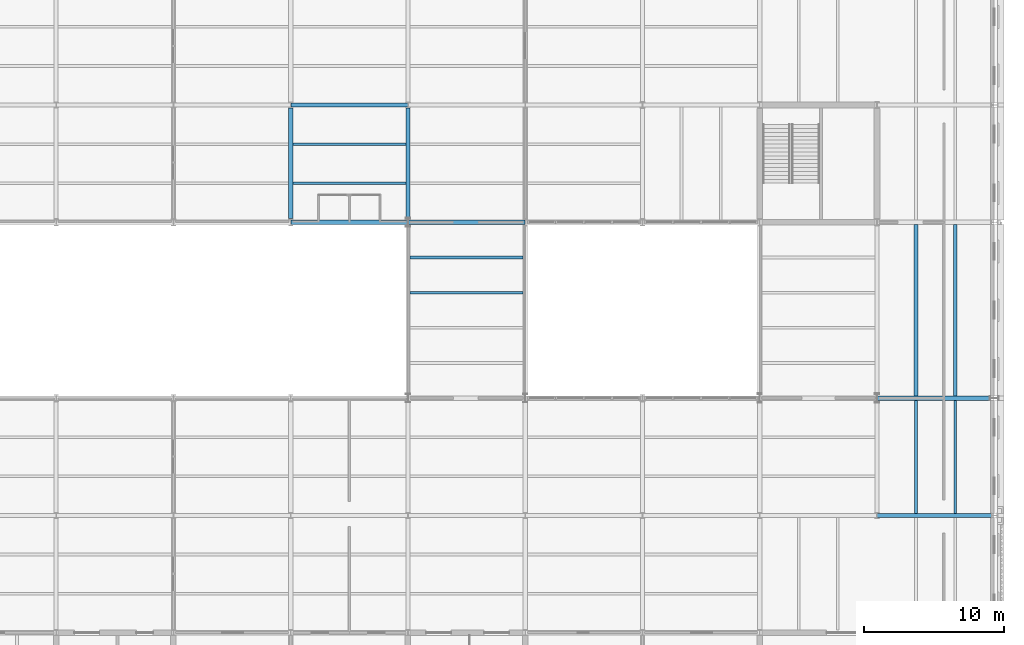
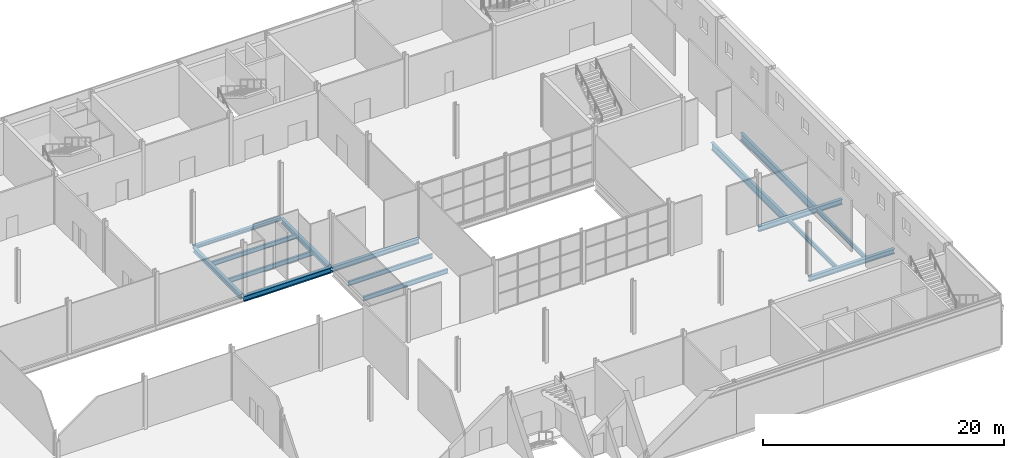
# One storey, part 21 of 57: 15 beams.
"""IFC4 building model written with IfcOpenShell, lengths in metres."""

from ifc_helpers import new_model, si_unit, direction, frame, origin, origin_2d, place, context, subcontext, project, spatial, i_section, extrude, material, material_profile, profile_set, type_object, element, save


model = new_model("IFC4")

# Units and contexts
model_context = context("Model", 3, precision=1e-05, world=origin(), true_north=direction((0.0, 1.0)))
body_context = subcontext(model_context, "Body", "Model", "MODEL_VIEW")
ifc_project = project(units=[si_unit("LENGTHUNIT", "METRE"), si_unit("AREAUNIT", "SQUARE_METRE"), si_unit("VOLUMEUNIT", "CUBIC_METRE"), si_unit("PLANEANGLEUNIT", "RADIAN"), si_unit("MASSUNIT", "GRAM", prefix="KILO")], contexts=[model_context])

# Site, building, storey
site_placement = place(None, origin())
site = spatial("IfcSite", under=ifc_project, at=site_placement, CompositionType="ELEMENT")
building_placement = place(site_placement, origin())
building = spatial("IfcBuilding", under=site, at=building_placement, Name="Galleria Vessillo Department Store", CompositionType="ELEMENT")
storey_placement = place(building_placement, frame((0.0, 0.0, 25.800048828125)))
storey = spatial("IfcBuildingStorey", under=building, at=storey_placement, Name="L05", CompositionType="ELEMENT", Elevation=25.800048828125)

# Beams
ifc_material_1 = material(Name="Steel S355 J2", Category="steel")
ifc_material_profile_1 = material_profile(ifc_material_1, i_section(OverallWidth=0.300048828125, OverallDepth=0.489990234375, WebThickness=0.011962890625, FlangeThickness=0.02294921875, FilletRadius=0.027099609375, at=origin_2d()), Name="HEA 500")
ifc_profile_set_1 = profile_set([ifc_material_profile_1], Name="Steel S355 J2")
beam_type_1 = type_object("IfcBeamType", Name="Bridge girder HEA 500", PredefinedType="BEAM", material=ifc_profile_set_1)
beam_1_placement = place(storey_placement, frame((75.610595703125, 37.800048828125, -0.39501953125), z_axis=(1.0, 0.0, 0.0), x_axis=(0.0, 1.0, 0.0)))
element("IfcBeam", 1, at=beam_1_placement, inside=storey, type_object=beam_type_1, Name="S-BM-L05-BR-x37800-75611", PredefinedType="BEAM", context=body_context, shape_type="SweptSolid", body=[
    extrude(i_section(OverallWidth=0.300048828125, OverallDepth=0.489990234375, WebThickness=0.011962890625, FlangeThickness=0.02294921875, FilletRadius=0.027099609375, at=origin_2d()), origin(), (0.0, 0.0, 1.0), 8.378662109375),
])
ifc_material_2 = material(Name="Steel S355 J2", Category="steel")
ifc_material_profile_2 = material_profile(ifc_material_2, i_section(OverallWidth=0.300048828125, OverallDepth=0.489990234375, WebThickness=0.011962890625, FlangeThickness=0.02294921875, FilletRadius=0.027099609375, at=origin_2d()), Name="HEA 500")
ifc_profile_set_2 = profile_set([ifc_material_profile_2], Name="Steel S355 J2")
beam_type_2 = type_object("IfcBeamType", Name="Floor girder HEA 500", PredefinedType="BEAM", material=ifc_profile_set_2)
beam_2_placement = place(storey_placement, frame((109.206787109375, 16.800048828125, -0.39501953125), z_axis=(1.0, 0.0, 0.0), x_axis=(0.0, 1.0, 0.0)))
element("IfcBeam", 2, at=beam_2_placement, inside=storey, type_object=beam_type_2, Name="S-BM-L05-GI-x16800-109207", PredefinedType="BEAM", context=body_context, shape_type="SweptSolid", body=[
    extrude(i_section(OverallWidth=0.300048828125, OverallDepth=0.489990234375, WebThickness=0.011962890625, FlangeThickness=0.02294921875, FilletRadius=0.027099609375, at=origin_2d()), origin(), (0.0, 0.0, 1.0), 8.193115234375),
])
beam_3_placement = place(storey_placement, frame((67.199951171875, 38.06201171875, -0.39501953125), z_axis=(0.0, 1.0, 0.0), x_axis=(-1.0, 0.0, 0.0)))
element("IfcBeam", 3, at=beam_3_placement, inside=storey, type_object=beam_type_2, Name="S-BM-L05-GI-y67200-38062", PredefinedType="BEAM", context=body_context, shape_type="SweptSolid", body=[
    extrude(i_section(OverallWidth=0.300048828125, OverallDepth=0.489990234375, WebThickness=0.011962890625, FlangeThickness=0.02294921875, FilletRadius=0.027099609375, at=origin_2d()), origin(), (0.0, 0.0, 1.0), 7.937744140625),
])
beam_4_placement = place(storey_placement, frame((75.60009765625, 38.110107421875, -0.39501953125), z_axis=(0.0, 1.0, 0.0), x_axis=(-1.0, 0.0, 0.0)))
element("IfcBeam", 4, at=beam_4_placement, inside=storey, type_object=beam_type_2, Name="S-BM-L05-GI-y75600-38110", PredefinedType="BEAM", context=body_context, shape_type="SweptSolid", body=[
    extrude(i_section(OverallWidth=0.300048828125, OverallDepth=0.489990234375, WebThickness=0.011962890625, FlangeThickness=0.02294921875, FilletRadius=0.027099609375, at=origin_2d()), origin(), (0.0, 0.0, 1.0), 7.8896484375),
])
ifc_material_3 = material(Name="Steel S355 J2", Category="steel")
ifc_material_profile_3 = material_profile(ifc_material_3, i_section(OverallWidth=0.300048828125, OverallDepth=0.5400390625, WebThickness=0.012451171875, FlangeThickness=0.02392578125, FilletRadius=0.027099609375, at=origin_2d()), Name="HEA 550")
ifc_profile_set_3 = profile_set([ifc_material_profile_3], Name="Steel S355 J2")
beam_type_3 = type_object("IfcBeamType", Name="Floor girder HEA 550", PredefinedType="BEAM", material=ifc_profile_set_3)
beam_5_placement = place(storey_placement, frame((109.210693359375, 25.199951171875, -0.419921875), z_axis=(1.0, 0.0, 0.0), x_axis=(0.0, 1.0, 0.0)))
element("IfcBeam", 5, at=beam_5_placement, inside=storey, type_object=beam_type_3, Name="S-BM-L05-GI-x25200-109211", PredefinedType="BEAM", context=body_context, shape_type="SweptSolid", body=[
    extrude(i_section(OverallWidth=0.300048828125, OverallDepth=0.5400390625, WebThickness=0.012451171875, FlangeThickness=0.02392578125, FilletRadius=0.027099609375, at=origin_2d()), origin(), (0.0, 0.0, 1.0), 8.05517578125),
])
ifc_material_4 = material(Name="Steel S355 J2", Category="steel")
ifc_material_profile_4 = material_profile(ifc_material_4, i_section(OverallWidth=0.18994140625, OverallDepth=0.449951171875, WebThickness=0.009521484375, FlangeThickness=0.0146484375, FilletRadius=0.02099609375, at=origin_2d()), Name="IPE 450")
ifc_profile_set_4 = profile_set([ifc_material_profile_4], Name="Steel S355 J2")
beam_type_4 = type_object("IfcBeamType", Name="Floor joist IPE 450", PredefinedType="JOIST", material=ifc_profile_set_4)
for number, where, z_axis, x_axis, name in (
    (6, (67.35009765625, 40.60009765625, -0.375), (1.0, 0.0, 0.0), (0.0, 1.0, 0.0), "S-BM-L05-JO-x40600-67350"),
    (7, (67.35009765625, 43.39990234375, -0.375), (1.0, 0.0, 0.0), (0.0, 1.0, 0.0), "S-BM-L05-JO-x43400-67350"),
):
    element("IfcBeam", number, at=place(storey_placement, frame(where, z_axis=z_axis, x_axis=x_axis)), inside=storey, type_object=beam_type_4, Name=name, PredefinedType="JOIST", context=body_context, shape_type="SweptSolid", body=[
        extrude(i_section(OverallWidth=0.18994140625, OverallDepth=0.449951171875, WebThickness=0.009521484375, FlangeThickness=0.0146484375, FilletRadius=0.02099609375, at=origin_2d()), origin(), (0.0, 0.0, 1.0), 8.099853515625),
    ])
for number, where, z_axis, x_axis, name in (
    (8, (75.750244140625, 32.760009765625, -0.375), (1.0, 0.0, 0.0), (0.0, 1.0, 0.0), "S-BM-L05-JO-x32760-75750"),
    (9, (75.750244140625, 35.280029296875, -0.375), (1.0, 0.0, 0.0), (0.0, 1.0, 0.0), "S-BM-L05-JO-x35280-75750"),
    (10, (112.0, 16.9501953125, -0.375), (0.0, 1.0, 0.0), (-1.0, 0.0, 0.0), "S-BM-L05-JO-y112000-16950"),
    (11, (114.800048828125, 16.9501953125, -0.375), (0.0, 1.0, 0.0), (-1.0, 0.0, 0.0), "S-BM-L05-JO-y114800-16950"),
):
    element("IfcBeam", number, at=place(storey_placement, frame(where, z_axis=z_axis, x_axis=x_axis)), inside=storey, type_object=beam_type_4, Name=name, PredefinedType="JOIST", context=body_context, shape_type="SweptSolid", body=[
        extrude(i_section(OverallWidth=0.18994140625, OverallDepth=0.449951171875, WebThickness=0.009521484375, FlangeThickness=0.0146484375, FilletRadius=0.02099609375, at=origin_2d()), origin(), (0.0, 0.0, 1.0), 8.099609375),
    ])
ifc_material_5 = material(Name="Steel S355 J2", Category="steel")
ifc_material_profile_5 = material_profile(ifc_material_5, i_section(OverallWidth=0.264892578125, OverallDepth=0.7529296875, WebThickness=0.01318359375, FlangeThickness=0.01708984375, FilletRadius=0.01708984375, at=origin_2d()), Name="IPE 750x147")
ifc_profile_set_5 = profile_set([ifc_material_profile_5], Name="Steel S355 J2")
beam_type_5 = type_object("IfcBeamType", Name="Floor joist IPE 750x147", PredefinedType="JOIST", material=ifc_profile_set_5)
for number, where, z_axis, x_axis, name in (
    (12, (112.0, 25.35009765625, -0.5263671875), (0.0, 1.0, 0.0), (-1.0, 0.0, 0.0), "S-BM-L05-JO-y112000-25350"),
    (13, (114.800048828125, 25.35009765625, -0.5263671875), (0.0, 1.0, 0.0), (-1.0, 0.0, 0.0), "S-BM-L05-JO-y114800-25350"),
):
    element("IfcBeam", number, at=place(storey_placement, frame(where, z_axis=z_axis, x_axis=x_axis)), inside=storey, type_object=beam_type_5, Name=name, PredefinedType="JOIST", context=body_context, shape_type="SweptSolid", body=[
        extrude(i_section(OverallWidth=0.264892578125, OverallDepth=0.7529296875, WebThickness=0.01318359375, FlangeThickness=0.01708984375, FilletRadius=0.01708984375, at=origin_2d()), origin(), (0.0, 0.0, 1.0), 12.2998046875),
    ])
ifc_material_6 = material(Name="Steel S355 J2", Category="steel")
ifc_material_profile_6 = material_profile(ifc_material_6, i_section(OverallWidth=0.300048828125, OverallDepth=0.35009765625, WebThickness=0.010009765625, FlangeThickness=0.017578125, FilletRadius=0.027099609375, at=origin_2d()), Name="HEA 360")
ifc_profile_set_6 = profile_set([ifc_material_profile_6], Name="Steel S355 J2")
beam_type_6 = type_object("IfcBeamType", Name="Floor tie girder HEA 360", PredefinedType="BEAM", material=ifc_profile_set_6)
beam_6_placement = place(storey_placement, frame((67.206787109375, 46.199951171875, -0.324951171875), z_axis=(1.0, 0.0, 0.0), x_axis=(0.0, 1.0, 0.0)))
element("IfcBeam", 14, at=beam_6_placement, inside=storey, type_object=beam_type_6, Name="S-BM-L05-TI-x46200-67207", PredefinedType="BEAM", context=body_context, shape_type="SweptSolid", body=[
    extrude(i_section(OverallWidth=0.300048828125, OverallDepth=0.35009765625, WebThickness=0.010009765625, FlangeThickness=0.017578125, FilletRadius=0.027099609375, at=origin_2d()), origin(), (0.0, 0.0, 1.0), 8.38623046875),
])
ifc_material_7 = material(Name="Steel S355 J2", Category="steel")
ifc_material_profile_7 = material_profile(ifc_material_7, i_section(OverallWidth=0.300048828125, OverallDepth=0.5400390625, WebThickness=0.012451171875, FlangeThickness=0.02392578125, FilletRadius=0.027099609375, at=origin_2d()), Name="HEA 550")
ifc_profile_set_7 = profile_set([ifc_material_profile_7], Name="Steel S355 J2")
beam_type_7 = type_object("IfcBeamType", Name="Trimmer beam HEA 550", PredefinedType="BEAM", material=ifc_profile_set_7)
beam_7_placement = place(storey_placement, frame((67.210693359375, 37.800048828125, -0.419921875), z_axis=(1.0, 0.0, 0.0), x_axis=(0.0, 1.0, 0.0)))
element("IfcBeam", 15, at=beam_7_placement, inside=storey, type_object=beam_type_7, Name="S-BM-L05-TR-x37800-67211", PredefinedType="BEAM", context=body_context, shape_type="SweptSolid", body=[
    extrude(i_section(OverallWidth=0.300048828125, OverallDepth=0.5400390625, WebThickness=0.012451171875, FlangeThickness=0.02392578125, FilletRadius=0.027099609375, at=origin_2d()), origin(), (0.0, 0.0, 1.0), 8.378662109375),
])

save(model, "model.ifc")
